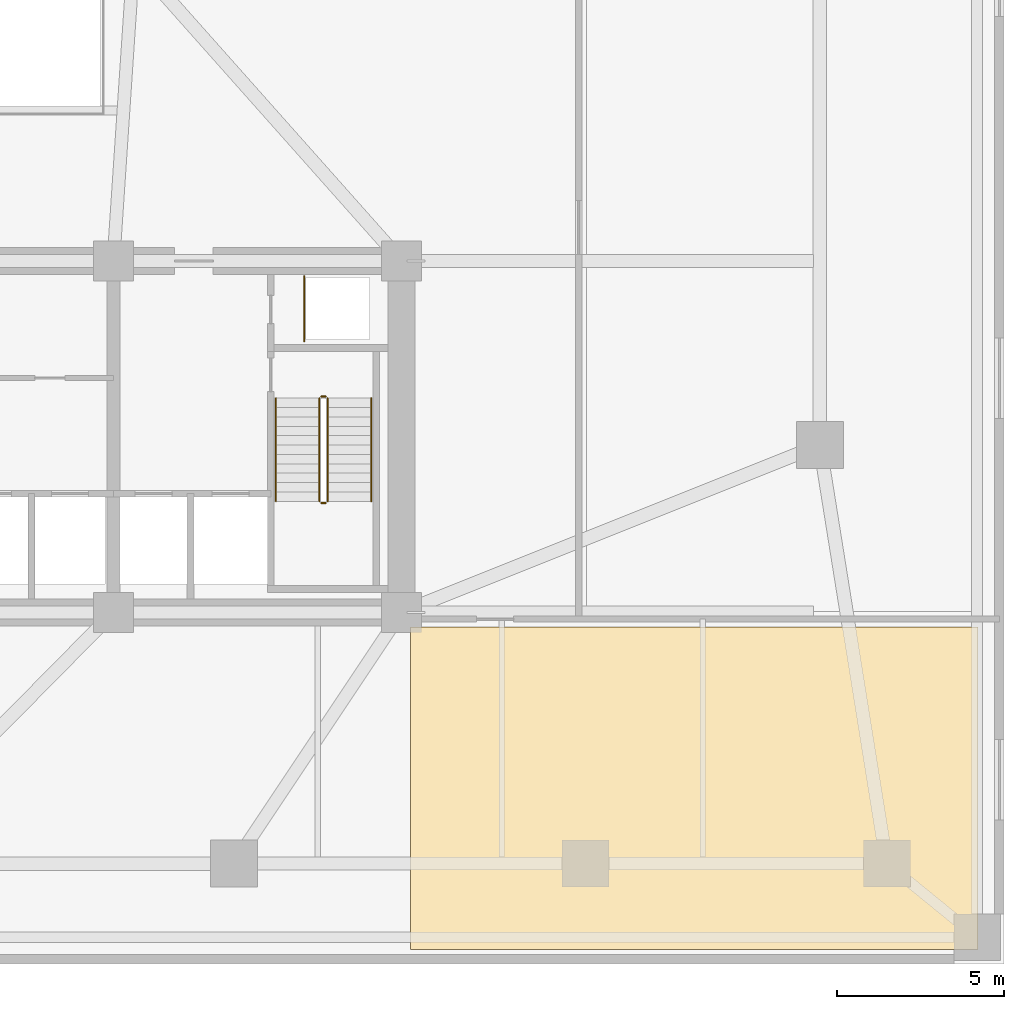
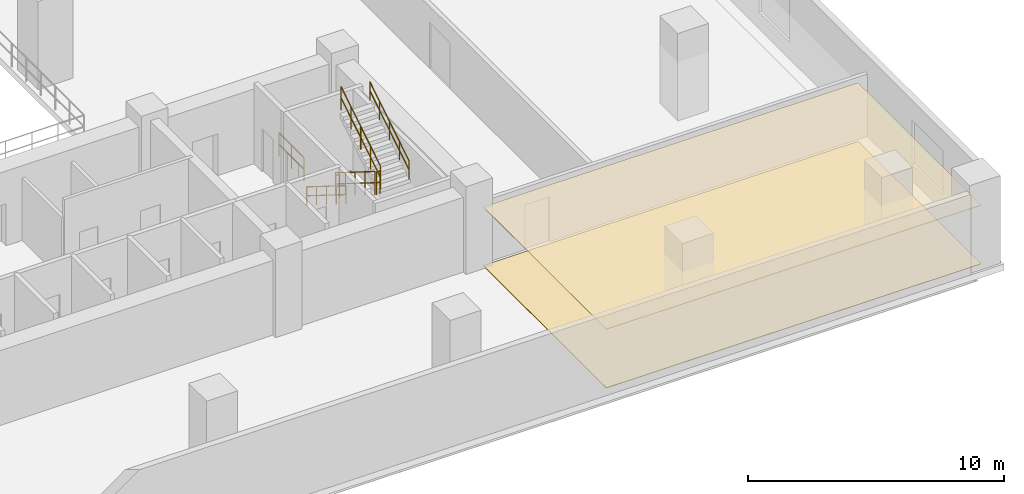
# One storey, part 11 of 15: 7 railings, 2 coverings.
"""IFC4 building model written with IfcOpenShell, lengths in metres."""

from ifc_helpers import new_model, si_unit, direction, frame, origin, origin_2d, place, context, subcontext, project, spatial, polyline, circle, outline, extrude, material, layer, layer_set, type_object, element, save


model = new_model("IFC4")

# Units and contexts
model_context = context("Model", 3, precision=1e-05, world=origin(), true_north=direction((0.0, 1.0)))
body_context = subcontext(model_context, "Body", "Model", "MODEL_VIEW")
ifc_project = project(units=[si_unit("LENGTHUNIT", "METRE"), si_unit("AREAUNIT", "SQUARE_METRE"), si_unit("VOLUMEUNIT", "CUBIC_METRE"), si_unit("PLANEANGLEUNIT", "RADIAN"), si_unit("MASSUNIT", "GRAM", prefix="KILO")], contexts=[model_context])

# Site, building, storey
site_placement = place(None, origin())
site = spatial("IfcSite", under=ifc_project, at=site_placement, CompositionType="ELEMENT")
building_placement = place(site_placement, origin())
building = spatial("IfcBuilding", under=site, at=building_placement, Name="Solmavex Isthmus Hotel", CompositionType="ELEMENT")
storey_placement = place(building_placement, frame((0.0, 0.0, 16.199951171875)))
storey = spatial("IfcBuildingStorey", under=building, at=storey_placement, Name="L04", CompositionType="ELEMENT", Elevation=16.199951171875)

# Coverings
ifc_material_1 = material(Name="Gypsum plasterboard lining", Category="gypsum")
ifc_layer_1 = layer(ifc_material_1, 0.030029296875)
ifc_layer_set_1 = layer_set([ifc_layer_1], Name="Gypsum plasterboard lining")
covering_type_1 = type_object("IfcCoveringType", Name="COV-CEIL-GYP", PredefinedType="CEILING", material=ifc_layer_set_1)
covering_1_placement = place(storey_placement, frame((0.0, 0.0, 2.800048828125)))
element("IfcCovering", 1, at=covering_1_placement, inside=storey, type_object=covering_type_1, Name="Suspended Acoustic Ceiling L04-AV1", PredefinedType="CEILING", context=body_context, shape_type="SweptSolid", body=[
    extrude(outline(polyline([(33.219970703125, -23.070068359375), (33.219970703125, -13.429931640625), (16.280029296875, -13.429931640625), (16.280029296875, -23.070068359375), (33.219970703125, -23.070068359375)])), origin(), (0.0, 0.0, 1.0), 0.030029296875),
])
ifc_material_2 = material(Name="Travertine natural stone", Category="masonry")
ifc_layer_2 = layer(ifc_material_2, 0.02490234375)
ifc_layer_set_2 = layer_set([ifc_layer_2], Name="Travertine natural stone")
covering_type_2 = type_object("IfcCoveringType", Name="COV-FLOR-STN", PredefinedType="FLOORING", material=ifc_layer_set_2)
covering_2_placement = place(storey_placement, origin())
element("IfcCovering", 2, at=covering_2_placement, inside=storey, type_object=covering_type_2, Name="Stone and Timber Floor Finish L04-AV1", PredefinedType="FLOORING", context=body_context, shape_type="SweptSolid", body=[
    extrude(outline(polyline([(33.219970703125, -23.070068359375), (33.219970703125, -13.429931640625), (16.280029296875, -13.429931640625), (16.280029296875, -23.070068359375), (33.219970703125, -23.070068359375)])), origin(), (0.0, 0.0, 1.0), 0.025146484375),
])

# Railings
ifc_material_3 = material(Name="Clear low-E laminated glass", Category="glass")
ifc_layer_3 = layer(ifc_material_3, 0.080078125)
ifc_layer_set_3 = layer_set([ifc_layer_3], Name="Clear low-E laminated glass")
railing_type_1 = type_object("IfcRailingType", Name="RAIL-ATRIUM-1120", PredefinedType="BALUSTRADE", material=ifc_layer_set_3)
railing_1_placement = place(storey_placement, frame((13.10009765625, -4.89990234375, 0.0)))
element("IfcRailing", 3, at=railing_1_placement, inside=storey, type_object=railing_type_1, Name="Guardrail Balustrade L04-RSE-01", PredefinedType="BALUSTRADE", context=body_context, shape_type="SweptSolid", body=[
    extrude(circle(Radius=0.02392578125, at=origin_2d()), frame((0.0, 0.0, 1.1259765625), z_axis=(0.0, 1.0, 0.0), x_axis=(-1.0, 0.0, 0.0)), (0.0, 0.0, 1.0), 1.949951171875),
    extrude(circle(Radius=0.02392578125, at=origin_2d()), frame((0.0, 0.0, 0.574951171875), z_axis=(0.0, 1.0, 0.0), x_axis=(-1.0, 0.0, 0.0)), (0.0, 0.0, 1.0), 1.949951171875),
    extrude(circle(Radius=0.02099609375, at=origin_2d()), origin(), (0.0, 0.0, 1.0), 1.101806640625),
    extrude(circle(Radius=0.02099609375, at=origin_2d()), frame((0.0, 0.97509765625, 0.0)), (0.0, 0.0, 1.0), 1.101806640625),
    extrude(circle(Radius=0.02099609375, at=origin_2d()), frame((0.0, 1.949951171875, 0.0)), (0.0, 0.0, 1.0), 1.101806640625),
])
ifc_material_4 = material(Name="Stainless steel 316", Category="steel")
ifc_layer_4 = layer(ifc_material_4, 0.06005859375)
ifc_layer_set_4 = layer_set([ifc_layer_4], Name="Stainless steel 316")
railing_type_2 = type_object("IfcRailingType", Name="RAIL-STAIR-GD", PredefinedType="GUARDRAIL", material=ifc_layer_set_4)
railing_2_placement = place(storey_placement, frame((13.550048828125, -6.60009765625, 0.175048828125)))
element("IfcRailing", 4, at=railing_2_placement, inside=storey, type_object=railing_type_2, Name="L04 ST-2 stair guard 1", PredefinedType="GUARDRAIL", context=body_context, shape_type="SweptSolid", body=[
    extrude(circle(Radius=0.02392578125, at=origin_2d()), frame((0.0, 0.0, 1.09619140625), z_axis=(0.0, -0.847979421464, 0.530029150871), x_axis=(1.0, 0.0, 0.0)), (0.0, 0.0, 1.0), 3.632080078125),
    extrude(circle(Radius=0.02392578125, at=origin_2d()), frame((0.0, 0.0, 0.56005859375), z_axis=(0.0, -0.847979421464, 0.530029150871), x_axis=(1.0, 0.0, 0.0)), (0.0, 0.0, 1.0), 3.632080078125),
    extrude(circle(Radius=0.02099609375, at=origin_2d()), origin(), (0.0, 0.0, 1.0), 1.072021484375),
    extrude(circle(Radius=0.02099609375, at=origin_2d()), frame((0.0, -0.77001953125, 0.481201171875)), (0.0, 0.0, 1.0), 1.072021484375),
    extrude(circle(Radius=0.02099609375, at=origin_2d()), frame((0.0, -1.5400390625, 0.96240234375)), (0.0, 0.0, 1.0), 1.072021484375),
    extrude(circle(Radius=0.02099609375, at=origin_2d()), frame((0.0, -2.309814453125, 1.44384765625)), (0.0, 0.0, 1.0), 1.072021484375),
    extrude(circle(Radius=0.02099609375, at=origin_2d()), frame((0.0, -3.079833984375, 1.925048828125)), (0.0, 0.0, 1.0), 1.072021484375),
])
railing_3_placement = place(storey_placement, frame((13.60009765625, -9.72998046875, 2.10009765625)))
element("IfcRailing", 5, at=railing_3_placement, inside=storey, type_object=railing_type_2, Name="L04 ST-2 stair guard 2", PredefinedType="GUARDRAIL", context=body_context, shape_type="SweptSolid", body=[
    extrude(circle(Radius=0.02392578125, at=origin_2d()), frame((0.0, 0.0, 1.09619140625), z_axis=(1.0, 0.0, 0.0), x_axis=(0.0, 1.0, 0.0)), (0.0, 0.0, 1.0), 0.14990234375),
    extrude(circle(Radius=0.02392578125, at=origin_2d()), frame((0.0, 0.0, 0.56005859375), z_axis=(1.0, 0.0, 0.0), x_axis=(0.0, 1.0, 0.0)), (0.0, 0.0, 1.0), 0.14990234375),
    extrude(circle(Radius=0.02099609375, at=origin_2d()), origin(), (0.0, 0.0, 1.0), 1.072021484375),
    extrude(circle(Radius=0.02099609375, at=origin_2d()), frame((0.14990234375, 0.0, 0.0)), (0.0, 0.0, 1.0), 1.072021484375),
])
railing_4_placement = place(storey_placement, frame((13.800048828125, -9.679931640625, 2.275146484375)))
element("IfcRailing", 6, at=railing_4_placement, inside=storey, type_object=railing_type_2, Name="L04 ST-2 stair guard 3", PredefinedType="GUARDRAIL", context=body_context, shape_type="SweptSolid", body=[
    extrude(circle(Radius=0.02392578125, at=origin_2d()), frame((0.0, 0.0, 1.09619140625), z_axis=(0.0, 0.848009633417, 0.529980812513), x_axis=(-1.0, 0.0, 0.0)), (0.0, 0.0, 1.0), 3.6318359375),
    extrude(circle(Radius=0.02392578125, at=origin_2d()), frame((0.0, 0.0, 0.56005859375), z_axis=(0.0, 0.848009633417, 0.529980812513), x_axis=(-1.0, 0.0, 0.0)), (0.0, 0.0, 1.0), 3.6318359375),
    extrude(circle(Radius=0.02099609375, at=origin_2d()), origin(), (0.0, 0.0, 1.0), 1.072021484375),
    extrude(circle(Radius=0.02099609375, at=origin_2d()), frame((0.0, 0.77001953125, 0.481201171875)), (0.0, 0.0, 1.0), 1.072021484375),
    extrude(circle(Radius=0.02099609375, at=origin_2d()), frame((0.0, 1.5400390625, 0.96240234375)), (0.0, 0.0, 1.0), 1.072021484375),
    extrude(circle(Radius=0.02099609375, at=origin_2d()), frame((0.0, 2.309814453125, 1.443603515625)), (0.0, 0.0, 1.0), 1.072021484375),
    extrude(circle(Radius=0.02099609375, at=origin_2d()), frame((0.0, 3.079833984375, 1.9248046875)), (0.0, 0.0, 1.0), 1.072021484375),
])
railing_5_placement = place(storey_placement, frame((13.60009765625, -6.550048828125, 0.0)))
element("IfcRailing", 7, at=railing_5_placement, inside=storey, type_object=railing_type_2, Name="L04 ST-2 stair guard 4", PredefinedType="GUARDRAIL", context=body_context, shape_type="SweptSolid", body=[
    extrude(circle(Radius=0.02392578125, at=origin_2d()), frame((0.0, 0.0, 1.09619140625), z_axis=(1.0, 0.0, 0.0), x_axis=(0.0, 1.0, 0.0)), (0.0, 0.0, 1.0), 0.14990234375),
    extrude(circle(Radius=0.02392578125, at=origin_2d()), frame((0.0, 0.0, 0.56005859375), z_axis=(1.0, 0.0, 0.0), x_axis=(0.0, 1.0, 0.0)), (0.0, 0.0, 1.0), 0.14990234375),
    extrude(circle(Radius=0.02099609375, at=origin_2d()), origin(), (0.0, 0.0, 1.0), 1.072021484375),
    extrude(circle(Radius=0.02099609375, at=origin_2d()), frame((0.14990234375, 0.0, 0.0)), (0.0, 0.0, 1.0), 1.072021484375),
])
ifc_layer_5 = layer(ifc_material_4, 0.050048828125)
ifc_layer_set_5 = layer_set([ifc_layer_5], Name="Stainless steel 316")
railing_type_3 = type_object("IfcRailingType", Name="RAIL-STAIR-HR", PredefinedType="HANDRAIL", material=ifc_layer_set_5)
railing_6_placement = place(storey_placement, frame((12.25, -6.60009765625, 0.175048828125)))
element("IfcRailing", 8, at=railing_6_placement, inside=storey, type_object=railing_type_3, Name="L04 ST-2 stair handrail 1", PredefinedType="HANDRAIL", context=body_context, shape_type="SweptSolid", body=[
    extrude(circle(Radius=0.02392578125, at=origin_2d()), frame((0.0, 0.0, 0.8759765625), z_axis=(0.0, -0.847979421464, 0.530029150871), x_axis=(1.0, 0.0, 0.0)), (0.0, 0.0, 1.0), 3.632080078125),
    extrude(circle(Radius=0.02392578125, at=origin_2d()), frame((0.0, 0.0, 0.449951171875), z_axis=(0.0, -0.847979421464, 0.530029150871), x_axis=(1.0, 0.0, 0.0)), (0.0, 0.0, 1.0), 3.632080078125),
    extrude(circle(Radius=0.02099609375, at=origin_2d()), origin(), (0.0, 0.0, 1.0), 0.851806640625),
    extrude(circle(Radius=0.02099609375, at=origin_2d()), frame((0.0, -0.77001953125, 0.481201171875)), (0.0, 0.0, 1.0), 0.851806640625),
    extrude(circle(Radius=0.02099609375, at=origin_2d()), frame((0.0, -1.5400390625, 0.96240234375)), (0.0, 0.0, 1.0), 0.851806640625),
    extrude(circle(Radius=0.02099609375, at=origin_2d()), frame((0.0, -2.309814453125, 1.44384765625)), (0.0, 0.0, 1.0), 0.851806640625),
    extrude(circle(Radius=0.02099609375, at=origin_2d()), frame((0.0, -3.079833984375, 1.925048828125)), (0.0, 0.0, 1.0), 0.851806640625),
])
railing_7_placement = place(storey_placement, frame((15.10009765625, -9.679931640625, 2.275146484375)))
element("IfcRailing", 9, at=railing_7_placement, inside=storey, type_object=railing_type_3, Name="L04 ST-2 stair handrail 2", PredefinedType="HANDRAIL", context=body_context, shape_type="SweptSolid", body=[
    extrude(circle(Radius=0.02392578125, at=origin_2d()), frame((0.0, 0.0, 0.8759765625), z_axis=(0.0, 0.848009633417, 0.529980812513), x_axis=(-1.0, 0.0, 0.0)), (0.0, 0.0, 1.0), 3.6318359375),
    extrude(circle(Radius=0.02392578125, at=origin_2d()), frame((0.0, 0.0, 0.449951171875), z_axis=(0.0, 0.848009633417, 0.529980812513), x_axis=(-1.0, 0.0, 0.0)), (0.0, 0.0, 1.0), 3.6318359375),
    extrude(circle(Radius=0.02099609375, at=origin_2d()), origin(), (0.0, 0.0, 1.0), 0.851806640625),
    extrude(circle(Radius=0.02099609375, at=origin_2d()), frame((0.0, 0.77001953125, 0.481201171875)), (0.0, 0.0, 1.0), 0.851806640625),
    extrude(circle(Radius=0.02099609375, at=origin_2d()), frame((0.0, 1.5400390625, 0.96240234375)), (0.0, 0.0, 1.0), 0.851806640625),
    extrude(circle(Radius=0.02099609375, at=origin_2d()), frame((0.0, 2.309814453125, 1.443603515625)), (0.0, 0.0, 1.0), 0.851806640625),
    extrude(circle(Radius=0.02099609375, at=origin_2d()), frame((0.0, 3.079833984375, 1.9248046875)), (0.0, 0.0, 1.0), 0.851806640625),
])

save(model, "model.ifc")
